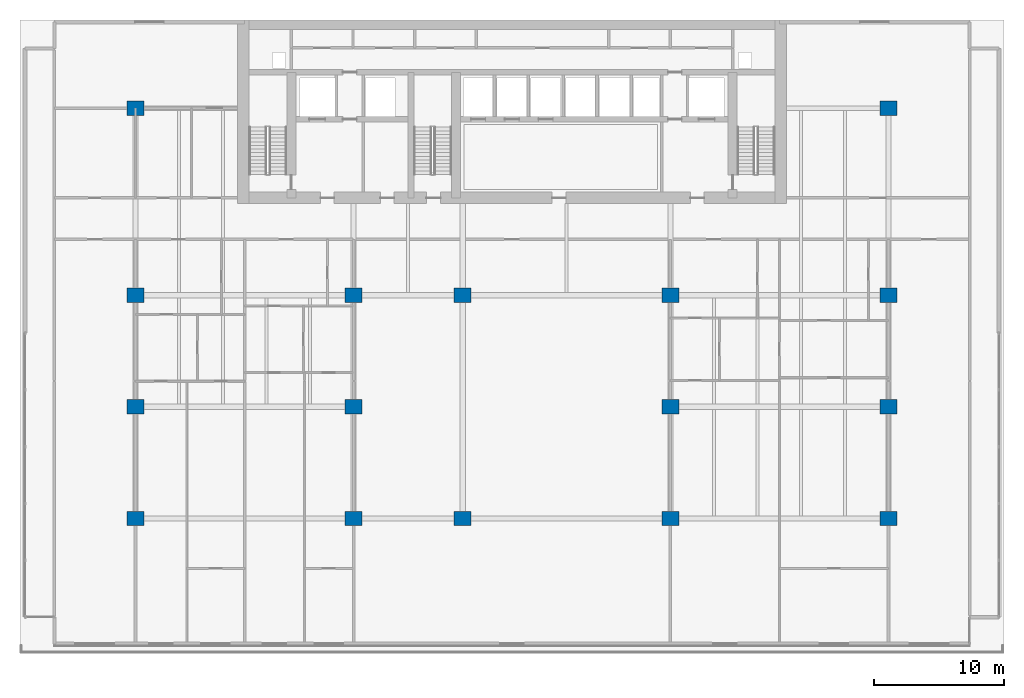
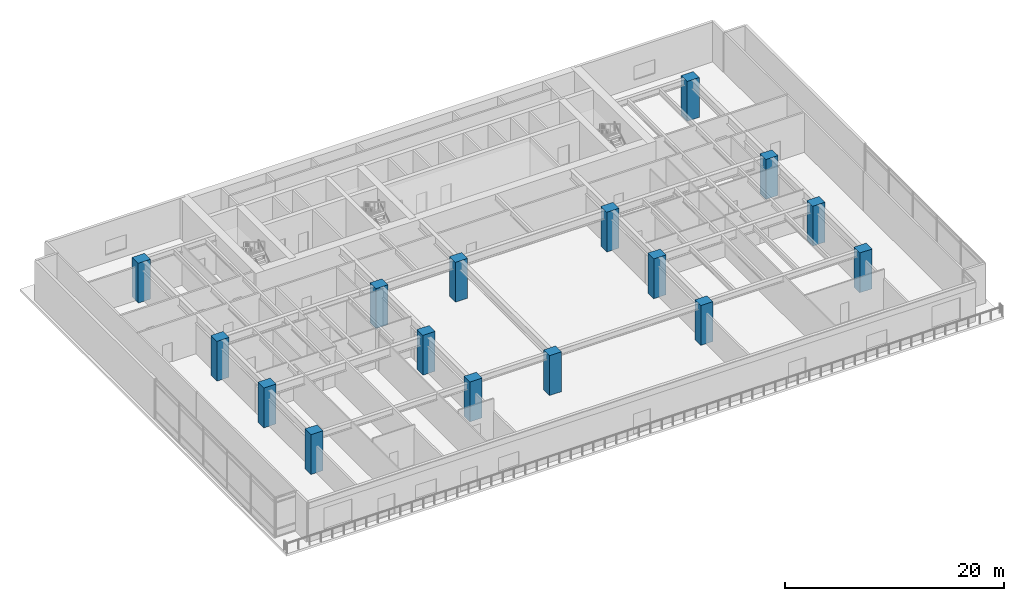
# One storey, part 1 of 13: 16 columns.
"""IFC4 building model written with IfcOpenShell, lengths in metres."""

from ifc_helpers import new_model, si_unit, direction, frame, origin, origin_2d, place, context, subcontext, project, spatial, rectangle, extrude, material, material_profile, profile_set, type_object, element, save


model = new_model("IFC4")

# Units and contexts
model_context = context("Model", 3, precision=1e-05, world=origin(), true_north=direction((0.0, 1.0)))
body_context = subcontext(model_context, "Body", "Model", "MODEL_VIEW")
ifc_project = project(units=[si_unit("LENGTHUNIT", "METRE"), si_unit("AREAUNIT", "SQUARE_METRE"), si_unit("VOLUMEUNIT", "CUBIC_METRE"), si_unit("PLANEANGLEUNIT", "RADIAN"), si_unit("MASSUNIT", "GRAM", prefix="KILO")], contexts=[model_context])

# Site, building, storey
site_placement = place(None, origin())
site = spatial("IfcSite", under=ifc_project, at=site_placement, CompositionType="ELEMENT")
building_placement = place(site_placement, origin())
building = spatial("IfcBuilding", under=site, at=building_placement, Name="Caelmar Bay Residences", CompositionType="ELEMENT")
storey_placement = place(building_placement, frame((0.0, 0.0, 19.800048828125)))
storey = spatial("IfcBuildingStorey", under=building, at=storey_placement, Name="L04", CompositionType="ELEMENT", Elevation=19.800048828125)

# Columns
ifc_material = material(Name="Concrete f'c 70 MPa (10,000 psi)", Category="concrete")
ifc_material_profile = material_profile(ifc_material, rectangle(XDim=1.300048828125, YDim=1.10009765625, at=origin_2d()), Name="RC-COL-1300X1100")
ifc_profile_set = profile_set([ifc_material_profile], Name="Concrete f'c 70 MPa (10,000 psi)")
column_type = type_object("IfcColumnType", Name="COL-RC-1300X1100", PredefinedType="COLUMN", material=ifc_profile_set)
for number, where, z_axis, x_axis, name in (
    (1, (9.89990234375, 12.199951171875, 0.0), (0.0, 0.0, 1.0), (1.0, 0.0, 0.0), "L04 Column (9.90,12.20)"),
    (2, (26.699951171875, 12.199951171875, 0.0), (0.0, 0.0, 1.0), (1.0, 0.0, 0.0), "L04 Column (26.70,12.20)"),
    (3, (35.10009765625, 12.199951171875, 0.0), (0.0, 0.0, 1.0), (1.0, 0.0, 0.0), "L04 Column (35.10,12.20)"),
    (4, (51.10009765625, 12.199951171875, 0.0), (0.0, 0.0, 1.0), (1.0, 0.0, 0.0), "L04 Column (51.10,12.20)"),
    (5, (67.89990234375, 12.199951171875, 0.0), (0.0, 0.0, 1.0), (1.0, 0.0, 0.0), "L04 Column (67.90,12.20)"),
    (6, (9.89990234375, 20.800048828125, 0.0), (0.0, 0.0, 1.0), (1.0, 0.0, 0.0), "L04 Column (9.90,20.80)"),
    (7, (26.699951171875, 20.800048828125, 0.0), (0.0, 0.0, 1.0), (1.0, 0.0, 0.0), "L04 Column (26.70,20.80)"),
    (8, (51.10009765625, 20.800048828125, 0.0), (0.0, 0.0, 1.0), (1.0, 0.0, 0.0), "L04 Column (51.10,20.80)"),
    (9, (67.89990234375, 20.800048828125, 0.0), (0.0, 0.0, 1.0), (1.0, 0.0, 0.0), "L04 Column (67.90,20.80)"),
    (10, (9.89990234375, 29.39990234375, 0.0), (0.0, 0.0, 1.0), (1.0, 0.0, 0.0), "L04 Column (9.90,29.40)"),
    (11, (26.699951171875, 29.39990234375, 0.0), (0.0, 0.0, 1.0), (1.0, 0.0, 0.0), "L04 Column (26.70,29.40)"),
    (12, (35.10009765625, 29.39990234375, 0.0), (0.0, 0.0, 1.0), (1.0, 0.0, 0.0), "L04 Column (35.10,29.40)"),
    (13, (51.10009765625, 29.39990234375, 0.0), (0.0, 0.0, 1.0), (1.0, 0.0, 0.0), "L04 Column (51.10,29.40)"),
    (14, (67.89990234375, 29.39990234375, 0.0), (0.0, 0.0, 1.0), (1.0, 0.0, 0.0), "L04 Column (67.90,29.40)"),
    (15, (9.89990234375, 43.800048828125, 0.0), (0.0, 0.0, 1.0), (1.0, 0.0, 0.0), "L04 Column (9.90,43.80)"),
    (16, (67.89990234375, 43.800048828125, 0.0), (0.0, 0.0, 1.0), (1.0, 0.0, 0.0), "L04 Column (67.90,43.80)"),
):
    element("IfcColumn", number, at=place(storey_placement, frame(where, z_axis=z_axis, x_axis=x_axis)), inside=storey, type_object=column_type, Name=name, PredefinedType="COLUMN", context=body_context, shape_type="SweptSolid", body=[
        extrude(rectangle(XDim=1.300048828125, YDim=1.10009765625, at=origin_2d()), origin(), (0.0, 0.0, 1.0), 4.449951171875),
    ])

save(model, "model.ifc")
